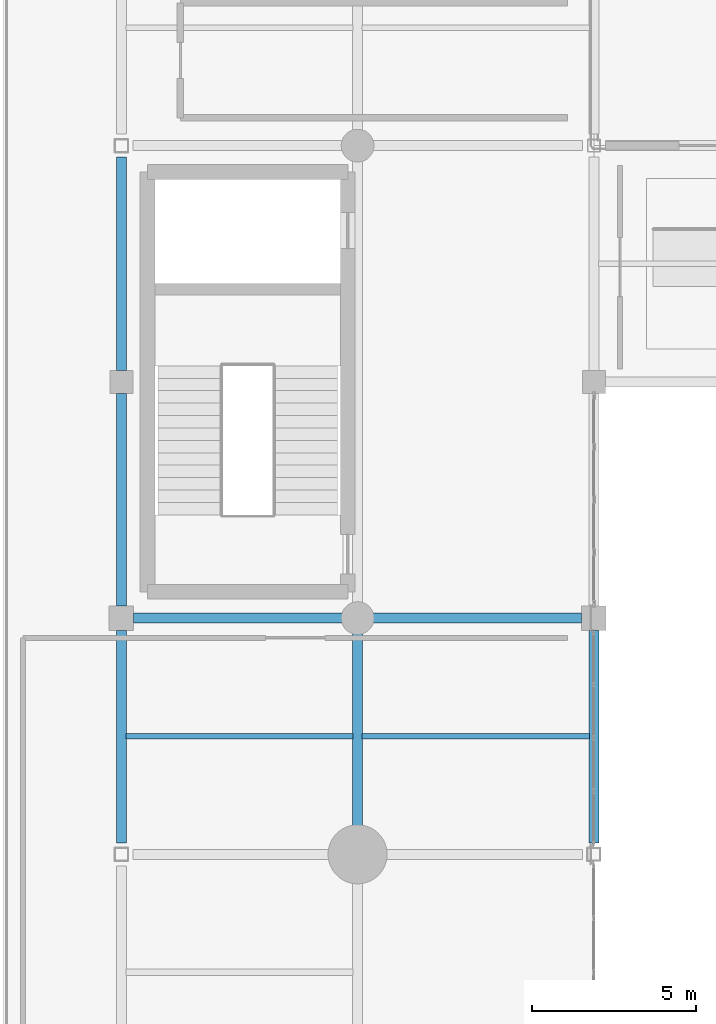
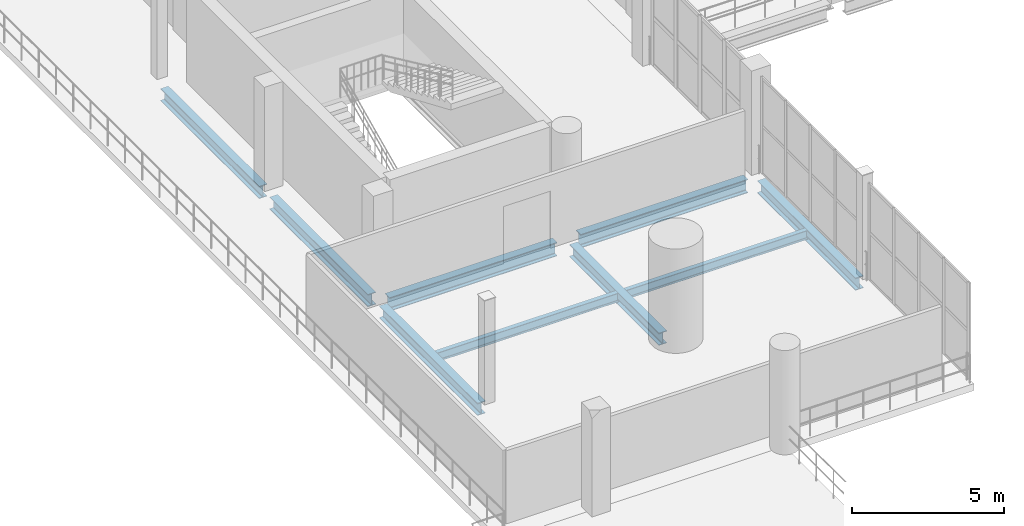
# One storey, part 43 of 130: 9 beams.
"""IFC4 building model written with IfcOpenShell, lengths in metres."""

from ifc_helpers import new_model, si_unit, direction, frame, origin, origin_2d, place, context, subcontext, project, spatial, i_section, extrude, material, material_profile, profile_set, type_object, element, save


model = new_model("IFC4")

# Units and contexts
model_context = context("Model", 3, precision=1e-05, world=origin(), true_north=direction((0.0, 1.0)))
body_context = subcontext(model_context, "Body", "Model", "MODEL_VIEW")
ifc_project = project(units=[si_unit("LENGTHUNIT", "METRE"), si_unit("AREAUNIT", "SQUARE_METRE"), si_unit("VOLUMEUNIT", "CUBIC_METRE"), si_unit("PLANEANGLEUNIT", "RADIAN"), si_unit("MASSUNIT", "GRAM", prefix="KILO")], contexts=[model_context])

# Site, building, storey
site_placement = place(None, origin())
site = spatial("IfcSite", under=ifc_project, at=site_placement, CompositionType="ELEMENT")
building_placement = place(site_placement, origin())
building = spatial("IfcBuilding", under=site, at=building_placement, Name="Qandorah Velis Arena", CompositionType="ELEMENT")
storey_placement = place(building_placement, frame((0.0, 0.0, 9.60009765625)))
storey = spatial("IfcBuildingStorey", under=building, at=storey_placement, Name="L02", CompositionType="ELEMENT", Elevation=9.60009765625)

# Beams
ifc_material = material(Name="Steel S355", Category="steel")
ifc_material_profile_1 = material_profile(ifc_material, i_section(OverallWidth=0.300048828125, OverallDepth=0.5, WebThickness=0.014404296875, FlangeThickness=0.028076171875, FilletRadius=0.027099609375, at=origin_2d()), Name="HEB 500")
ifc_profile_set_1 = profile_set([ifc_material_profile_1], Name="Steel S355")
beam_type_1 = type_object("IfcBeamType", Name="STR-BM-HEB500", PredefinedType="BEAM", material=ifc_profile_set_1)
for number, where, z_axis, x_axis, name in (
    (1, (108.0, 29.14990234375, -0.530029296875), (0.0, 1.0, 0.0), (-1.0, 0.0, 0.0), "Primary floor girder L02 Y-291"),
    (2, (108.0, 36.375, -0.530029296875), (0.0, 1.0, 0.0), (-1.0, 0.0, 0.0), "Primary floor girder L02 Y-292"),
):
    element("IfcBeam", number, at=place(storey_placement, frame(where, z_axis=z_axis, x_axis=x_axis)), inside=storey, type_object=beam_type_1, Name=name, PredefinedType="BEAM", context=body_context, shape_type="SweptSolid", body=[
        extrude(i_section(OverallWidth=0.300048828125, OverallDepth=0.5, WebThickness=0.014404296875, FlangeThickness=0.028076171875, FilletRadius=0.027099609375, at=origin_2d()), origin(), (0.0, 0.0, 1.0), 6.47509765625),
    ])
beam_1_placement = place(storey_placement, frame((108.0, 43.550048828125, -0.530029296875), z_axis=(0.0, 1.0, 0.0), x_axis=(-1.0, 0.0, 0.0)))
element("IfcBeam", 3, at=beam_1_placement, inside=storey, type_object=beam_type_1, Name="Primary floor girder L02 Y-293", PredefinedType="BEAM", context=body_context, shape_type="SweptSolid", body=[
    extrude(i_section(OverallWidth=0.300048828125, OverallDepth=0.5, WebThickness=0.014404296875, FlangeThickness=0.028076171875, FilletRadius=0.027099609375, at=origin_2d()), origin(), (0.0, 0.0, 1.0), 6.5),
])
beam_2_placement = place(storey_placement, frame((115.199951171875, 29.64990234375, -0.530029296875), z_axis=(0.0, 1.0, 0.0), x_axis=(-1.0, 0.0, 0.0)))
element("IfcBeam", 4, at=beam_2_placement, inside=storey, type_object=beam_type_1, Name="Primary floor girder L02 Y-309", PredefinedType="BEAM", context=body_context, shape_type="SweptSolid", body=[
    extrude(i_section(OverallWidth=0.300048828125, OverallDepth=0.5, WebThickness=0.014404296875, FlangeThickness=0.028076171875, FilletRadius=0.027099609375, at=origin_2d()), origin(), (0.0, 0.0, 1.0), 5.900146484375),
])
beam_3_placement = place(storey_placement, frame((122.39990234375, 29.14990234375, -0.530029296875), z_axis=(0.0, 1.0, 0.0), x_axis=(-1.0, 0.0, 0.0)))
element("IfcBeam", 5, at=beam_3_placement, inside=storey, type_object=beam_type_1, Name="Primary floor girder L02 Y-322", PredefinedType="BEAM", context=body_context, shape_type="SweptSolid", body=[
    extrude(i_section(OverallWidth=0.300048828125, OverallDepth=0.5, WebThickness=0.014404296875, FlangeThickness=0.028076171875, FilletRadius=0.027099609375, at=origin_2d()), origin(), (0.0, 0.0, 1.0), 6.47509765625),
])
ifc_material_profile_2 = material_profile(ifc_material, i_section(OverallWidth=0.300048828125, OverallDepth=0.550048828125, WebThickness=0.014892578125, FlangeThickness=0.029052734375, FilletRadius=0.027099609375, at=origin_2d()), Name="HEB 550")
ifc_profile_set_2 = profile_set([ifc_material_profile_2], Name="Steel S355")
beam_type_2 = type_object("IfcBeamType", Name="STR-BM-HEB550", PredefinedType="BEAM", material=ifc_profile_set_2)
for number, where, z_axis, x_axis, name in (
    (6, (108.375, 36.0, -0.55517578125), (1.0, 0.0, 0.0), (0.0, 1.0, 0.0), "Primary floor girder L02 X-065"),
    (7, (115.64990234375, 36.0, -0.55517578125), (1.0, 0.0, 0.0), (0.0, 1.0, 0.0), "Primary floor girder L02 X-066"),
):
    element("IfcBeam", number, at=place(storey_placement, frame(where, z_axis=z_axis, x_axis=x_axis)), inside=storey, type_object=beam_type_2, Name=name, PredefinedType="BEAM", context=body_context, shape_type="SweptSolid", body=[
        extrude(i_section(OverallWidth=0.300048828125, OverallDepth=0.550048828125, WebThickness=0.014892578125, FlangeThickness=0.029052734375, FilletRadius=0.027099609375, at=origin_2d()), origin(), (0.0, 0.0, 1.0), 6.375),
    ])
ifc_material_profile_3 = material_profile(ifc_material, i_section(OverallWidth=0.169921875, OverallDepth=0.360107421875, WebThickness=0.008056640625, FlangeThickness=0.0126953125, FilletRadius=0.01806640625, at=origin_2d()), Name="IPE 360")
ifc_profile_set_3 = profile_set([ifc_material_profile_3], Name="Steel S355")
beam_type_3 = type_object("IfcBeamType", Name="STR-JST-IPE360", PredefinedType="JOIST", material=ifc_profile_set_3)
for number, where, z_axis, x_axis, name in (
    (8, (108.135009765625, 32.39990234375, -0.460205078125), (1.0, 0.0, 0.0), (0.0, 1.0, 0.0), "Secondary floor joist L02-077"),
    (9, (115.3349609375, 32.39990234375, -0.460205078125), (1.0, 0.0, 0.0), (0.0, 1.0, 0.0), "Secondary floor joist L02-089"),
):
    element("IfcBeam", number, at=place(storey_placement, frame(where, z_axis=z_axis, x_axis=x_axis)), inside=storey, type_object=beam_type_3, Name=name, PredefinedType="JOIST", context=body_context, shape_type="SweptSolid", body=[
        extrude(i_section(OverallWidth=0.169921875, OverallDepth=0.360107421875, WebThickness=0.008056640625, FlangeThickness=0.0126953125, FilletRadius=0.01806640625, at=origin_2d()), origin(), (0.0, 0.0, 1.0), 6.929931640625),
    ])

save(model, "model.ifc")
